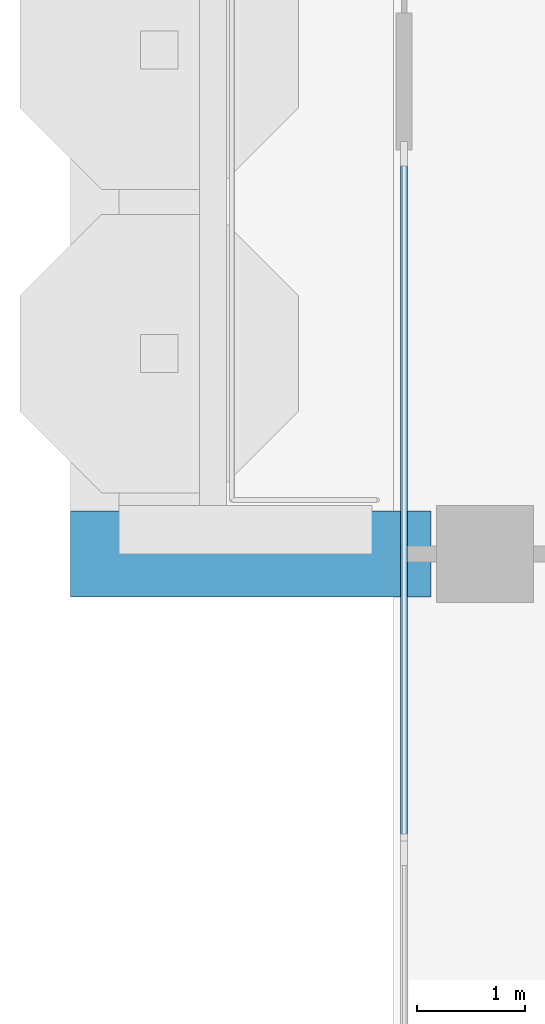
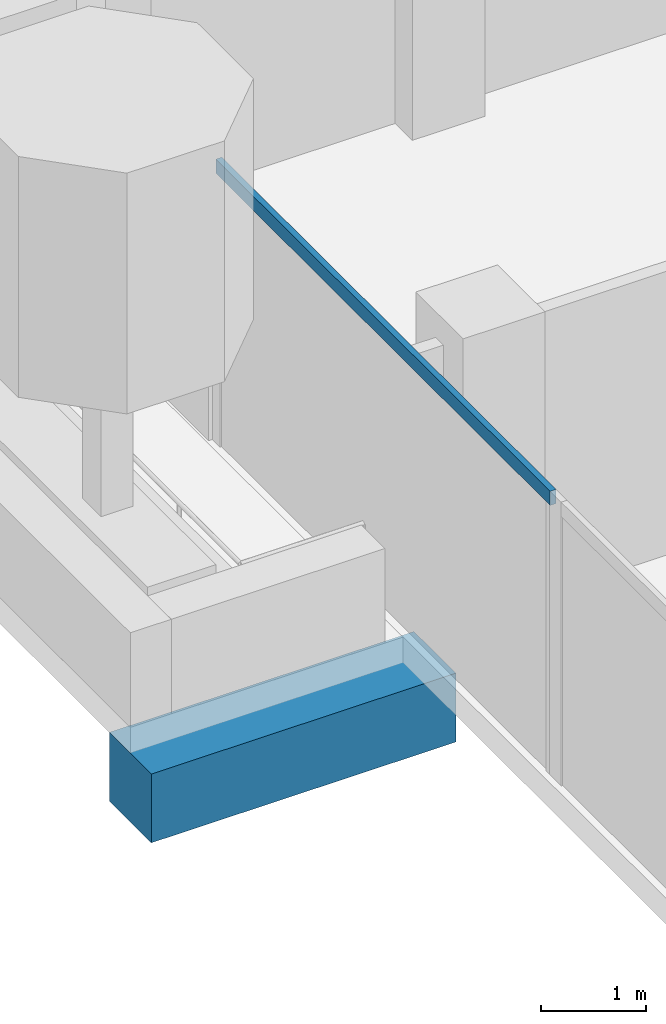
# One storey, part 3 of 18: 1 beam, 1 member, 1 element without a shape of its own.
"""IFC4 building model written with IfcOpenShell, lengths in metres."""

from ifc_helpers import new_model, si_unit, direction, frame, origin, origin_2d, place, context, subcontext, project, spatial, rectangle, extrude, material, material_profile, profile_set, type_object, element, aggregate, save


model = new_model("IFC4")

# Units and contexts
model_context = context("Model", 3, precision=1e-05, world=origin(), true_north=direction((0.0, 1.0)))
body_context = subcontext(model_context, "Body", "Model", "MODEL_VIEW")
ifc_project = project(units=[si_unit("LENGTHUNIT", "METRE"), si_unit("AREAUNIT", "SQUARE_METRE"), si_unit("VOLUMEUNIT", "CUBIC_METRE"), si_unit("PLANEANGLEUNIT", "RADIAN"), si_unit("MASSUNIT", "GRAM", prefix="KILO")], contexts=[model_context])

# Site, building, storey
site_placement = place(None, origin())
site = spatial("IfcSite", under=ifc_project, at=site_placement, CompositionType="ELEMENT")
building_placement = place(site_placement, origin())
building = spatial("IfcBuilding", under=site, at=building_placement, Name="Pilkhan Gate Tower", CompositionType="ELEMENT")
storey_placement = place(building_placement, frame((0.0, 0.0, 228.300048828125)))
storey = spatial("IfcBuildingStorey", under=building, at=storey_placement, Name="L59", CompositionType="ELEMENT", Elevation=228.300048828125)

# Beam
ifc_material_1 = material(Name="Concrete C50/60", Category="concrete")
ifc_material_profile_1 = material_profile(ifc_material_1, rectangle(XDim=0.800048828125, YDim=0.800048828125, at=origin_2d()), Name="RC 800x800")
ifc_profile_set_1 = profile_set([ifc_material_profile_1], Name="Concrete C50/60")
beam_type = type_object("IfcBeamType", Name="Cantilever beam CB2 RC 800x800 C50/60", PredefinedType="BEAM", material=ifc_profile_set_1)
beam_placement = place(storey_placement, frame((48.25, 67.5, -0.699951171875), z_axis=(-1.0, 0.0, 0.0), x_axis=(0.0, -1.0, 0.0)))
element("IfcBeam", 1, at=beam_placement, inside=storey, type_object=beam_type, Name="Balcony beam W.1 L59", PredefinedType="BEAM", context=body_context, shape_type="SweptSolid", body=[
    extrude(rectangle(XDim=0.800048828125, YDim=0.800048828125, at=origin_2d()), origin(), (0.0, 0.0, 1.0), 3.35009765625),
])

# Curtain wall, member
ifc_material_2 = material(Name="Pale anodised aluminium, clear low-iron double glazing", Category="aluminium")
curtain_wall_type = type_object("IfcCurtainWallType", Name="Office unitised curtain wall CW-O2", PredefinedType="USERDEFINED", material=ifc_material_2)
curtain_wall_placement = place(storey_placement, origin())
curtain_wall = element("IfcCurtainWall", 2, at=curtain_wall_placement, inside=storey, type_object=curtain_wall_type, Name="Office unitised curtain wall CW-O2 L59 W", ObjectType="UNITISED CURTAIN WALL", PredefinedType="USERDEFINED")
ifc_material_3 = material(Name="Pale anodised aluminium", Category="aluminium")
ifc_material_profile_2 = material_profile(ifc_material_3, rectangle(XDim=0.06494140625, YDim=0.1650390625, at=origin_2d()), Name="Transom 165x65")
ifc_profile_set_2 = profile_set([ifc_material_profile_2], Name="Pale anodised aluminium")
member_type = type_object("IfcMemberType", Name="Transom CW-O2 165x65", PredefinedType="USERDEFINED", material=ifc_profile_set_2)
member_placement = place(storey_placement, frame((48.0, 64.81494140625, 3.217529296875), z_axis=(0.0, 1.0, 0.0), x_axis=(-1.0, 0.0, 0.0)))
member = element("IfcMember", 3, at=member_placement, type_object=member_type, Name="CW-O2 transom 1", ObjectType="TRANSOM", PredefinedType="USERDEFINED", context=body_context, shape_type="SweptSolid", body=[
    extrude(rectangle(XDim=0.06494140625, YDim=0.1650390625, at=origin_2d()), origin(), (0.0, 0.0, 1.0), 6.3701171875),
])
aggregate(curtain_wall, [member])

save(model, "model.ifc")
